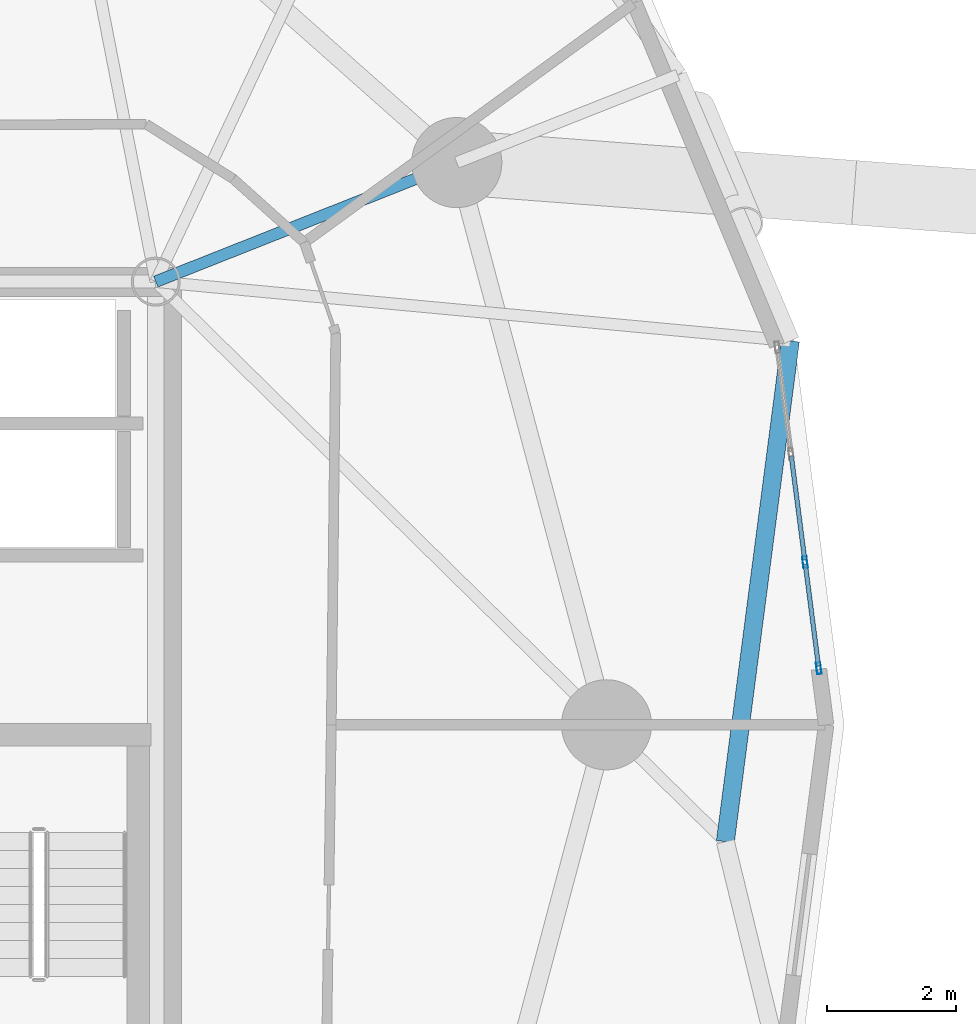
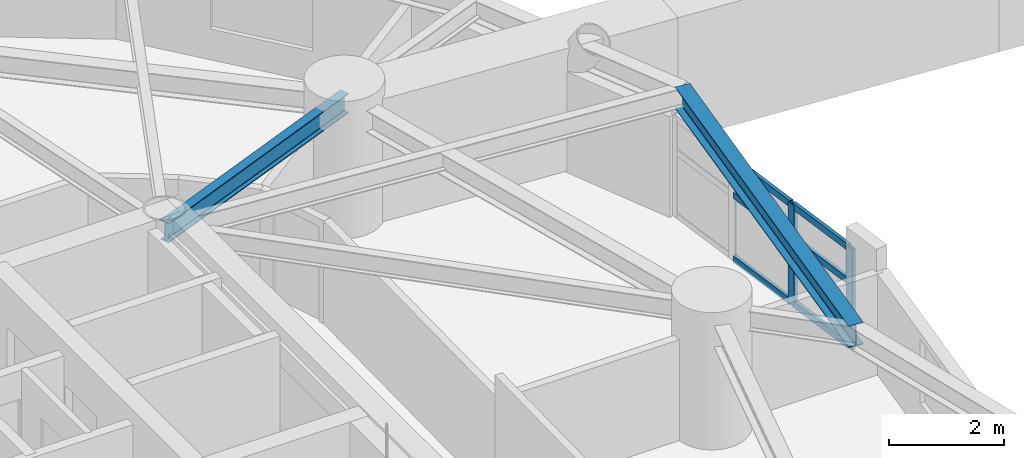
# One storey, part 2 of 18: 8 members, 2 beams, 1 element without a shape of its own.
"""IFC4 building model written with IfcOpenShell, lengths in metres."""

from ifc_helpers import new_model, si_unit, direction, frame, origin, origin_2d, place, context, subcontext, project, spatial, hollow_rectangle, i_section, extrude, material, layer, layer_set, material_profile, profile_set, type_object, element, aggregate, save


model = new_model("IFC4")

# Units and contexts
model_context = context("Model", 3, precision=1e-05, world=origin(), true_north=direction((0.0, 1.0)))
body_context = subcontext(model_context, "Body", "Model", "MODEL_VIEW")
ifc_project = project(units=[si_unit("LENGTHUNIT", "METRE"), si_unit("AREAUNIT", "SQUARE_METRE"), si_unit("VOLUMEUNIT", "CUBIC_METRE"), si_unit("PLANEANGLEUNIT", "RADIAN"), si_unit("MASSUNIT", "GRAM", prefix="KILO")], contexts=[model_context])

# Site, building, storey
site_placement = place(None, origin())
site = spatial("IfcSite", under=ifc_project, at=site_placement, CompositionType="ELEMENT")
building_placement = place(site_placement, origin())
building = spatial("IfcBuilding", under=site, at=building_placement, Name="Cununo Teusaquillo Station Towers", CompositionType="ELEMENT")
storey_placement = place(building_placement, frame((0.0, 0.0, 122.530029296875)))
storey = spatial("IfcBuildingStorey", under=building, at=storey_placement, Name="L39", CompositionType="ELEMENT", Elevation=122.530029296875)

# Beams
ifc_material_1 = material(Name="Steel ASTM A572 Grade 50", Category="steel")
ifc_material_profile_1 = material_profile(ifc_material_1, i_section(OverallWidth=0.180908203125, OverallDepth=0.4169921875, WebThickness=0.010986328125, FlangeThickness=0.018310546875, FilletRadius=0.012939453125, at=origin_2d()), Name="W16X57")
ifc_profile_set_1 = profile_set([ifc_material_profile_1], Name="Steel ASTM A572 Grade 50")
beam_type_1 = type_object("IfcBeamType", Name="BM-RAD-G2", PredefinedType="BEAM", material=ifc_profile_set_1)
beam_1_placement = place(storey_placement, frame((21.675048828125, 31.3798828125, 2.42138671875), z_axis=(0.929864104313, 0.367903176814, 0.0), x_axis=(-0.367903176814, 0.929864104313, 0.0)))
element("IfcBeam", 1, at=beam_1_placement, inside=storey, type_object=beam_type_1, Name="L39 Tower A Radial Girder 02A", PredefinedType="BEAM", context=body_context, shape_type="SweptSolid", body=[
    extrude(i_section(OverallWidth=0.180908203125, OverallDepth=0.4169921875, WebThickness=0.010986328125, FlangeThickness=0.018310546875, FilletRadius=0.012939453125, at=origin_2d()), origin(), (0.0, 0.0, 1.0), 5.02490234375),
])
ifc_material_2 = material(Name="Steel ASTM A572 Grade 50", Category="steel")
ifc_material_profile_2 = material_profile(ifc_material_2, i_section(OverallWidth=0.280029296875, OverallDepth=0.462890625, WebThickness=0.0107421875, FlangeThickness=0.017333984375, FilletRadius=0.013916015625, at=origin_2d()), Name="W18X76")
ifc_profile_set_2 = profile_set([ifc_material_profile_2], Name="Steel ASTM A572 Grade 50")
beam_type_2 = type_object("IfcBeamType", Name="BM-RING-Z2", PredefinedType="SPANDREL", material=ifc_profile_set_2)
beam_2_placement = place(storey_placement, frame((30.51708984375, 22.685791015625, 2.3984375), z_axis=(0.12888124113, 0.991660035337, 0.0), x_axis=(-0.991660035337, 0.12888124113, 0.0)))
element("IfcBeam", 2, at=beam_2_placement, inside=storey, type_object=beam_type_2, Name="L39 Tower A Spandrel Ring Beam 01", PredefinedType="SPANDREL", context=body_context, shape_type="SweptSolid", body=[
    extrude(i_section(OverallWidth=0.280029296875, OverallDepth=0.462890625, WebThickness=0.0107421875, FlangeThickness=0.017333984375, FilletRadius=0.013916015625, at=origin_2d()), origin(), (0.0, 0.0, 1.0), 7.840576171875),
])

# Curtain wall, members
ifc_material_3 = material(Name="Ceramic-fritted dark low-E double glazing", Category="glass")
ifc_layer = layer(ifc_material_3, 0.179931640625)
ifc_layer_set = layer_set([ifc_layer], Name="Ceramic-fritted dark low-E double glazing")
curtain_wall_type = type_object("IfcCurtainWallType", Name="CW-SYS-04", PredefinedType="USERDEFINED", material=ifc_layer_set)
curtain_wall_placement = place(storey_placement, origin())
curtain_wall = element("IfcCurtainWall", 3, at=curtain_wall_placement, inside=storey, type_object=curtain_wall_type, Name="L39 Tower A Facade Curtain Wall C00", ObjectType="FRITTED GLAZING", PredefinedType="USERDEFINED")
ifc_material_4 = material(Name="Anodised dark bronze aluminium EN AW-6063-T6", Category="aluminium")
ifc_material_profile_3 = material_profile(ifc_material_4, hollow_rectangle(XDim=0.070068359375, YDim=0.179931640625, WallThickness=0.00390625, at=origin_2d()), Name="CW-MULL-70x180")
ifc_profile_set_3 = profile_set([ifc_material_profile_3], Name="Anodised dark bronze aluminium EN AW-6063-T6")
member_type_1 = type_object("IfcMemberType", Name="CWM-180", PredefinedType="MULLION", material=ifc_profile_set_3)
member_1_placement = place(storey_placement, frame((31.754150390625, 27.0263671875, 0.0), z_axis=(0.0, 0.0, 1.0), x_axis=(0.991730764367, 0.128335852387, 0.0)))
member_1 = element("IfcMember", 4, at=member_1_placement, type_object=member_type_1, Name="CW-04 mullion 3", PredefinedType="MULLION", context=body_context, shape_type="SweptSolid", body=[
    extrude(hollow_rectangle(XDim=0.070068359375, YDim=0.179931640625, WallThickness=0.00390625, at=origin_2d()), origin(), (0.0, 0.0, 1.0), 2.138916015625),
])
member_2_placement = place(storey_placement, frame((31.967529296875, 25.377685546875, 0.0), z_axis=(0.0, 0.0, 1.0), x_axis=(0.991730764367, 0.128335852387, 0.0)))
member_2 = element("IfcMember", 5, at=member_2_placement, type_object=member_type_1, Name="CW-04 mullion 4", PredefinedType="MULLION", context=body_context, shape_type="SweptSolid", body=[
    extrude(hollow_rectangle(XDim=0.070068359375, YDim=0.179931640625, WallThickness=0.00390625, at=origin_2d()), origin(), (0.0, 0.0, 1.0), 2.138916015625),
])
ifc_material_5 = material(Name="Anodised dark bronze aluminium EN AW-6063-T6", Category="aluminium")
ifc_material_profile_4 = material_profile(ifc_material_5, hollow_rectangle(XDim=0.070068359375, YDim=0.139892578125, WallThickness=0.00390625, at=origin_2d()), Name="CW-TRAN-70x140")
ifc_profile_set_4 = profile_set([ifc_material_profile_4], Name="Anodised dark bronze aluminium EN AW-6063-T6")
member_type_2 = type_object("IfcMemberType", Name="CWT-140", PredefinedType="USERDEFINED", material=ifc_profile_set_4)
member_3_placement = place(storey_placement, frame((31.540771484375, 28.675048828125, 0.034912109375), z_axis=(0.128261686134, -0.991740359101, 0.0), x_axis=(0.991740359101, 0.128261686134, 0.0)))
member_3 = element("IfcMember", 6, at=member_3_placement, type_object=member_type_2, Name="CW-04 transom 2.1", ObjectType="TRANSOM", PredefinedType="USERDEFINED", context=body_context, shape_type="SweptSolid", body=[
    extrude(hollow_rectangle(XDim=0.070068359375, YDim=0.139892578125, WallThickness=0.00390625, at=origin_2d()), origin(), (0.0, 0.0, 1.0), 1.62744140625),
])
member_4_placement = place(storey_placement, frame((31.540771484375, 28.675048828125, 1.389892578125), z_axis=(0.128261686134, -0.991740359101, 0.0), x_axis=(0.991740359101, 0.128261686134, 0.0)))
member_4 = element("IfcMember", 7, at=member_4_placement, type_object=member_type_2, Name="CW-04 transom 2.2", ObjectType="TRANSOM", PredefinedType="USERDEFINED", context=body_context, shape_type="SweptSolid", body=[
    extrude(hollow_rectangle(XDim=0.070068359375, YDim=0.139892578125, WallThickness=0.00390625, at=origin_2d()), origin(), (0.0, 0.0, 1.0), 1.62744140625),
])
member_5_placement = place(storey_placement, frame((31.540771484375, 28.675048828125, 2.10400390625), z_axis=(0.128261686134, -0.991740359101, 0.0), x_axis=(0.991740359101, 0.128261686134, 0.0)))
member_5 = element("IfcMember", 8, at=member_5_placement, type_object=member_type_2, Name="CW-04 transom 2.3", ObjectType="TRANSOM", PredefinedType="USERDEFINED", context=body_context, shape_type="SweptSolid", body=[
    extrude(hollow_rectangle(XDim=0.070068359375, YDim=0.139892578125, WallThickness=0.00390625, at=origin_2d()), origin(), (0.0, 0.0, 1.0), 1.62744140625),
])
member_6_placement = place(storey_placement, frame((31.758544921875, 26.99169921875, 0.034912109375), z_axis=(0.128316698748, -0.991733242774, 0.0), x_axis=(0.991733242774, 0.128316698748, 0.0)))
member_6 = element("IfcMember", 9, at=member_6_placement, type_object=member_type_2, Name="CW-04 transom 3.1", ObjectType="TRANSOM", PredefinedType="USERDEFINED", context=body_context, shape_type="SweptSolid", body=[
    extrude(hollow_rectangle(XDim=0.070068359375, YDim=0.139892578125, WallThickness=0.00390625, at=origin_2d()), origin(), (0.0, 0.0, 1.0), 1.592529296875),
])
member_7_placement = place(storey_placement, frame((31.758544921875, 26.99169921875, 1.389892578125), z_axis=(0.128316698748, -0.991733242774, 0.0), x_axis=(0.991733242774, 0.128316698748, 0.0)))
member_7 = element("IfcMember", 10, at=member_7_placement, type_object=member_type_2, Name="CW-04 transom 3.2", ObjectType="TRANSOM", PredefinedType="USERDEFINED", context=body_context, shape_type="SweptSolid", body=[
    extrude(hollow_rectangle(XDim=0.070068359375, YDim=0.139892578125, WallThickness=0.00390625, at=origin_2d()), origin(), (0.0, 0.0, 1.0), 1.592529296875),
])
member_8_placement = place(storey_placement, frame((31.758544921875, 26.99169921875, 2.10400390625), z_axis=(0.128316698748, -0.991733242774, 0.0), x_axis=(0.991733242774, 0.128316698748, 0.0)))
member_8 = element("IfcMember", 11, at=member_8_placement, type_object=member_type_2, Name="CW-04 transom 3.3", ObjectType="TRANSOM", PredefinedType="USERDEFINED", context=body_context, shape_type="SweptSolid", body=[
    extrude(hollow_rectangle(XDim=0.070068359375, YDim=0.139892578125, WallThickness=0.00390625, at=origin_2d()), origin(), (0.0, 0.0, 1.0), 1.592529296875),
])
aggregate(curtain_wall, [member_1, member_2, member_3, member_4, member_5, member_6, member_7, member_8])

save(model, "model.ifc")
